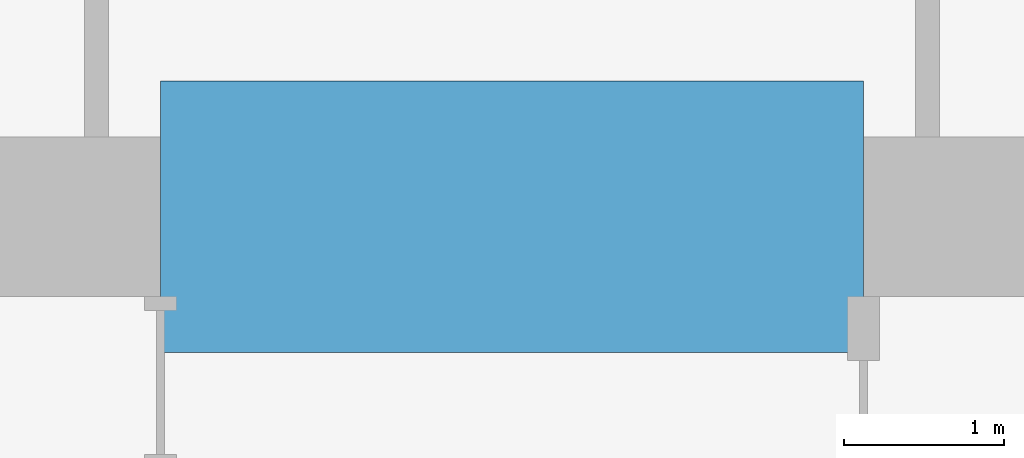
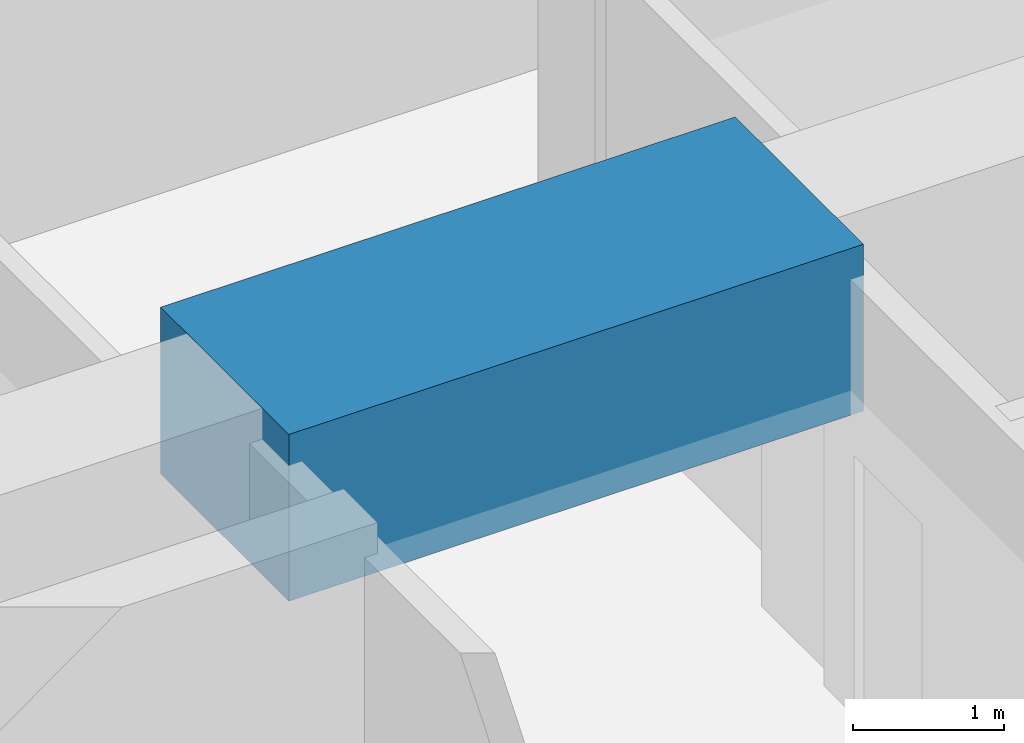
# One storey, part 16 of 36: 1 beam.
"""IFC4 building model written with IfcOpenShell, lengths in metres."""

from ifc_helpers import new_model, si_unit, direction, frame, origin, origin_2d, place, context, subcontext, project, spatial, rectangle, extrude, material, material_profile, profile_set, type_object, element, save


model = new_model("IFC4")

# Units and contexts
model_context = context("Model", 3, precision=1e-05, world=origin(), true_north=direction((0.0, 1.0)))
body_context = subcontext(model_context, "Body", "Model", "MODEL_VIEW")
ifc_project = project(units=[si_unit("LENGTHUNIT", "METRE"), si_unit("AREAUNIT", "SQUARE_METRE"), si_unit("VOLUMEUNIT", "CUBIC_METRE"), si_unit("PLANEANGLEUNIT", "RADIAN"), si_unit("MASSUNIT", "GRAM", prefix="KILO")], contexts=[model_context])

# Site, building, storey
site_placement = place(None, origin())
site = spatial("IfcSite", under=ifc_project, at=site_placement, CompositionType="ELEMENT")
building_placement = place(site_placement, origin())
building = spatial("IfcBuilding", under=site, at=building_placement, Name="Rekha Terrace Tower", CompositionType="ELEMENT")
storey_placement = place(building_placement, frame((0.0, 0.0, 144.050048828125)))
storey = spatial("IfcBuildingStorey", under=building, at=storey_placement, Name="L36", CompositionType="ELEMENT", Elevation=144.050048828125)

# Beam
ifc_material = material(Name="Concrete M70", Category="concrete")
ifc_material_profile = material_profile(ifc_material, rectangle(XDim=1.699951171875, YDim=1.35009765625, at=origin_2d()), Name="RC 1700x1350")
ifc_profile_set = profile_set([ifc_material_profile], Name="Concrete M70")
beam_type = type_object("IfcBeamType", Name="LB2A 1700x1350 diagonally reinforced coupling beam", PredefinedType="LINTEL", material=ifc_profile_set)
beam_placement = place(storey_placement, frame((35.60009765625, 46.199951171875, 3.074951171875), z_axis=(1.0, 0.0, 0.0), x_axis=(0.0, 1.0, 0.0)))
element("IfcBeam", 1, at=beam_placement, inside=storey, type_object=beam_type, Name="Coupling beam LB2A N L36", PredefinedType="LINTEL", context=body_context, shape_type="SweptSolid", body=[
    extrude(rectangle(XDim=1.699951171875, YDim=1.35009765625, at=origin_2d()), origin(), (0.0, 0.0, 1.0), 4.39990234375),
])

save(model, "model.ifc")
